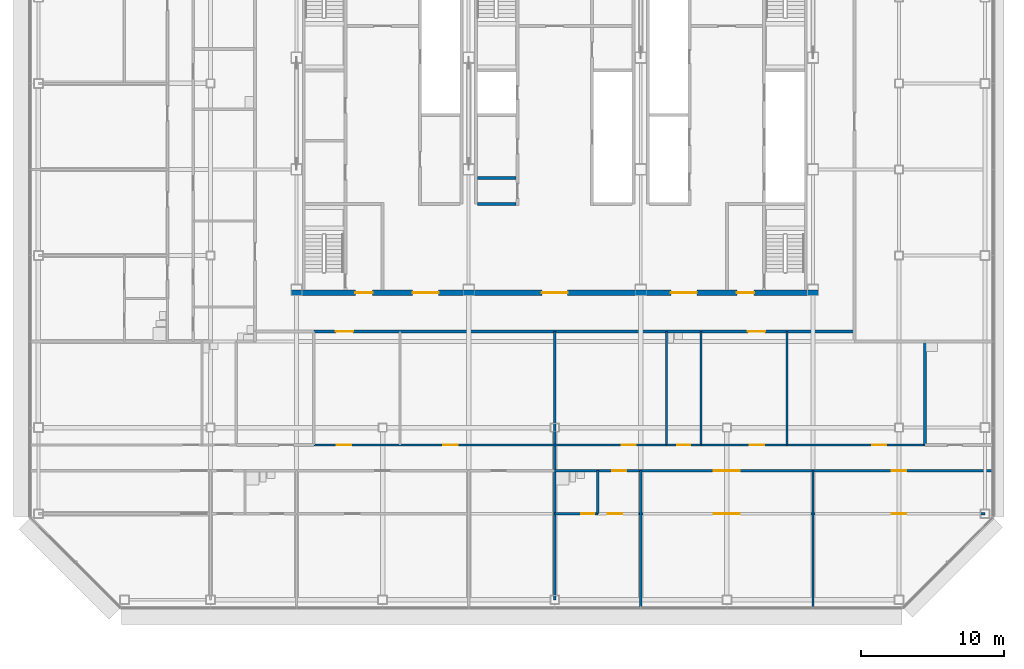
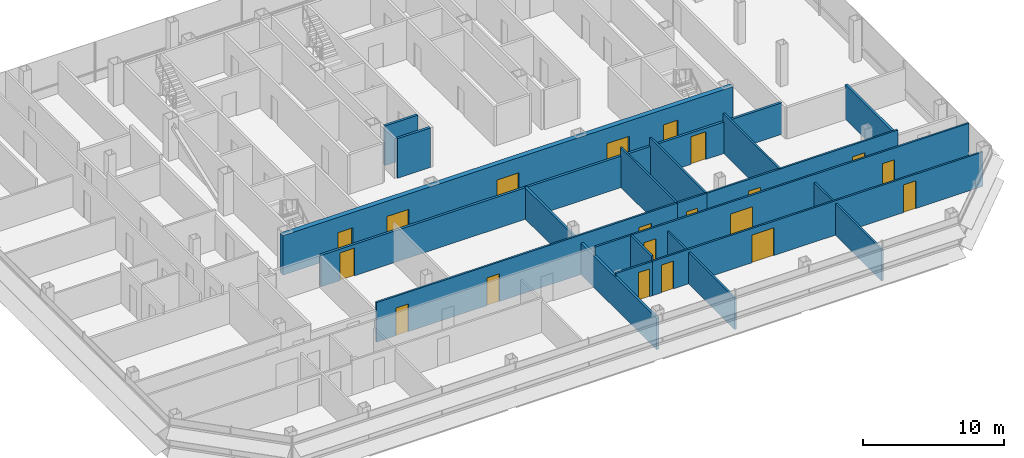
# One storey, part 21 of 26: 20 doors, 19 walls, 20 openings.
"""IFC4 building model written with IfcOpenShell, lengths in metres."""

import ifcopenshell
import ifcopenshell.guid

model = None  # the IFC model being written
_history = None  # IfcOwnerHistory: only IFC2X3 demands one
_inside = {}  # id of a spatial element -> (the spatial element, [elements in it])
_under = {}  # id of a project, library or spatial element -> (it, [spatial elements below it])
_declared = {}  # id of a project -> (the project, [libraries it declares])
_typed = {}  # id of a type object -> (the type object, [elements of that type])
_made_of = {}  # id of a material, layer set ... -> (it, [elements and type objects made of it])


def new_model(schema):
    """Start an empty IFC model of exactly this schema.

    Asked for "IFC4X3", IfcOpenShell would pick the latest addendum, in which some entities
    have other attributes; the version numbers below select the first issue.
    IFC2X3 requires an IfcOwnerHistory on every rooted entity: one is made here for all.
    """
    global model, _history
    if schema == "IFC4X3":
        model = ifcopenshell.file(schema_version=(4, 3, 0, 0))
    else:
        model = ifcopenshell.file(schema=schema)
    _inside.clear()
    _under.clear()
    _declared.clear()
    _typed.clear()
    _made_of.clear()
    _history = None
    if model.schema == "IFC2X3":
        org = make("IfcOrganization", Name="unknown")
        user = make(
            "IfcPersonAndOrganization",
            ThePerson=make("IfcPerson", FamilyName="unknown"),
            TheOrganization=org,
        )
        app = make(
            "IfcApplication",
            ApplicationDeveloper=org,
            Version="unknown",
            ApplicationFullName="unknown",
            ApplicationIdentifier="unknown",
        )
        _history = make(
            "IfcOwnerHistory",
            OwningUser=user,
            OwningApplication=app,
            ChangeAction="ADDED",
            CreationDate=0,
        )
    return model


def make(cls, **values):
    """One entity of the class cls with the attributes given. An attribute that is None is left unset."""
    return model.create_entity(
        cls, **{name: value for name, value in values.items() if value is not None}
    )


def rooted(cls, **values):
    """An entity with a GlobalId (a new one), such as an element, a storey or a relation."""
    return make(cls, GlobalId=ifcopenshell.guid.new(), OwnerHistory=_history, **values)


def si_unit(unit_type, name, prefix=None):
    """IfcSIUnit, for example si_unit("LENGTHUNIT", "METRE", prefix="MILLI")."""
    return make("IfcSIUnit", UnitType=unit_type, Prefix=prefix, Name=name)


def assignment(units):
    """IfcUnitAssignment: the units of a project."""
    return None if units is None else make("IfcUnitAssignment", Units=units)


def point(xyz):
    """IfcCartesianPoint."""
    return None if xyz is None else make("IfcCartesianPoint", Coordinates=xyz)


def direction(xyz):
    """IfcDirection."""
    return None if xyz is None else make("IfcDirection", DirectionRatios=xyz)


def frame(location, z_axis=None, x_axis=None):
    """IfcAxis2Placement3D, a coordinate frame: its origin and axes. An axis left out is left unset."""
    return make(
        "IfcAxis2Placement3D",
        Location=point(location),
        Axis=direction(z_axis),
        RefDirection=direction(x_axis),
    )


def frame_2d(location, x_axis=None):
    """IfcAxis2Placement2D, a coordinate frame in the plane: its origin and x axis."""
    return make(
        "IfcAxis2Placement2D", Location=point(location), RefDirection=direction(x_axis)
    )


def origin():
    """The frame at (0, 0, 0) with its axes left unset."""
    return frame((0.0, 0.0, 0.0))


def place(relative_to, where):
    """IfcLocalPlacement: puts the frame where relative to a parent placement (None: the world)."""
    return make(
        "IfcLocalPlacement", PlacementRelTo=relative_to, RelativePlacement=where
    )


def context(
    kind, dimensions, precision=None, world=None, true_north=None, identifier=None
):
    """IfcGeometricRepresentationContext, for example the 3D "Model" context."""
    return make(
        "IfcGeometricRepresentationContext",
        ContextIdentifier=identifier,
        ContextType=kind,
        CoordinateSpaceDimension=dimensions,
        Precision=precision,
        WorldCoordinateSystem=world,
        TrueNorth=true_north,
    )


def subcontext(parent, identifier, kind, view, scale=None):
    """IfcGeometricRepresentationSubContext, for example "Body" below "Model"."""
    return make(
        "IfcGeometricRepresentationSubContext",
        ContextIdentifier=identifier,
        ContextType=kind,
        ParentContext=parent,
        TargetScale=scale,
        TargetView=view,
    )


def project(units=None, contexts=None):
    """IfcProject with its units and contexts."""
    return rooted(
        "IfcProject",
        Name="project",
        RepresentationContexts=contexts,
        UnitsInContext=assignment(units),
    )


def spatial(cls, under=None, at=None, **own):
    """A site, building, storey or space (cls), placed at a placement, below another one or the project."""
    s = rooted(cls, ObjectPlacement=at, **own)
    if under is not None:
        _under.setdefault(under.id(), (under, []))[1].append(s)
    return s


def profile(cls, at=None, kind="AREA", **sizes):
    """A parametric profile (cls). Its sizes go by their IFC names, for example OverallWidth=200.0."""
    return make(cls, ProfileType=kind, Position=at, **sizes)


def rectangle(**sizes):
    """IfcRectangleProfileDef."""
    return profile("IfcRectangleProfileDef", **sizes)


def extrude(swept, where, along, depth):
    """IfcExtrudedAreaSolid: the profile swept, set in the frame where, extruded along a direction by depth."""
    return make(
        "IfcExtrudedAreaSolid",
        SweptArea=swept,
        Position=where,
        ExtrudedDirection=direction(along),
        Depth=depth,
    )


def shape(context_of_items, identifier, shape_type, items):
    """IfcShapeRepresentation: the items that make up one representation, for example the "Body"."""
    return make(
        "IfcShapeRepresentation",
        ContextOfItems=context_of_items,
        RepresentationIdentifier=identifier,
        RepresentationType=shape_type,
        Items=items,
    )


def material(Name=None, Category=None):
    """IfcMaterial."""
    return make("IfcMaterial", Name=Name, Category=Category)


def layer(
    of_material, thickness, ventilated=None, Name=None, Category=None, Priority=None
):
    """IfcMaterialLayer: one layer of a wall or slab, of a material (None: an air gap)."""
    return make(
        "IfcMaterialLayer",
        Material=of_material,
        LayerThickness=thickness,
        IsVentilated=ventilated,
        Name=Name,
        Category=Category,
        Priority=Priority,
    )


def layer_set(layers, Name=None):
    """IfcMaterialLayerSet."""
    return make("IfcMaterialLayerSet", MaterialLayers=layers, LayerSetName=Name)


def made_of(thing, what):
    """Note that an element or type object is made of a material, layer set ...; save() writes the relation."""
    if what is not None:
        _made_of.setdefault(what.id(), (what, []))[1].append(thing)
    return thing


def type_object(cls, material=None, **own):
    """A type object (cls), such as IfcWallType, which elements share."""
    return made_of(rooted(cls, **own), material)


def element(
    cls,
    number,
    at=None,
    inside=None,
    cuts=None,
    type_object=None,
    material=None,
    context=None,
    identifier="Body",
    shape_type=None,
    held_by="IfcProductDefinitionShape",
    body=None,
    shapes=None,
    **own,
):
    """One element of the class cls, such as IfcWall. Its Tag is "e" and its number.

    at: its placement. inside: the storey or other place that contains it. cuts: it is an
    opening in that element (IfcRelVoidsElement). A single representation is given by context,
    identifier, shape_type and body (its items); several are given by shapes. held_by: the class
    of the entity that holds the representations. save() writes the other relations.
    """
    e = rooted(cls, Tag="e%d" % number, ObjectPlacement=at, **own)
    if body is not None:
        shapes = [shape(context, identifier, shape_type, body)]
    if shapes is not None:
        e.Representation = make(held_by, Representations=shapes)
    if inside is not None:
        _inside.setdefault(inside.id(), (inside, []))[1].append(e)
    if cuts is not None:
        rooted(
            "IfcRelVoidsElement", RelatingBuildingElement=cuts, RelatedOpeningElement=e
        )
    if type_object is not None:
        _typed.setdefault(type_object.id(), (type_object, []))[1].append(e)
    return made_of(e, material)


def fill(opening, filler):
    """IfcRelFillsElement: the door or window that sits in an opening."""
    return rooted(
        "IfcRelFillsElement",
        RelatingOpeningElement=opening,
        RelatedBuildingElement=filler,
    )


def aggregate(whole, parts):
    """IfcRelAggregates: a whole, such as a stair, and the parts it consists of."""
    return rooted("IfcRelAggregates", RelatingObject=whole, RelatedObjects=parts)


def save(model, path):
    """Write the relations noted so far, then the file.

    IfcRelAggregates (storeys below a building ...), IfcRelContainedInSpatialStructure (elements
    in a storey), IfcRelDefinesByType, IfcRelAssociatesMaterial and IfcRelDeclares: one each for
    every whole, place, type object, material and project.
    """
    for whole, parts in _under.values():
        aggregate(whole, parts)
    for where, things in _inside.values():
        rooted(
            "IfcRelContainedInSpatialStructure",
            RelatedElements=things,
            RelatingStructure=where,
        )
    for kind, things in _typed.values():
        rooted("IfcRelDefinesByType", RelatedObjects=things, RelatingType=kind)
    for what, things in _made_of.values():
        rooted("IfcRelAssociatesMaterial", RelatedObjects=things, RelatingMaterial=what)
    for by, libraries in _declared.values():
        rooted("IfcRelDeclares", RelatingContext=by, RelatedDefinitions=libraries)
    model.write(path)


model = new_model("IFC4")

# Units and contexts
model_context = context("Model", 3, precision=1e-05, world=origin(), true_north=direction((0.0, 1.0)))
body_context = subcontext(model_context, "Body", "Model", "MODEL_VIEW")
ifc_project = project(units=[si_unit("LENGTHUNIT", "METRE"), si_unit("AREAUNIT", "SQUARE_METRE"), si_unit("VOLUMEUNIT", "CUBIC_METRE"), si_unit("PLANEANGLEUNIT", "RADIAN"), si_unit("MASSUNIT", "GRAM", prefix="KILO")], contexts=[model_context])

# Site, building, storey
site_placement = place(None, origin())
site = spatial("IfcSite", under=ifc_project, at=site_placement, CompositionType="ELEMENT")
building_placement = place(site_placement, origin())
building = spatial("IfcBuilding", under=site, at=building_placement, Name="Sorahane Residences", CompositionType="ELEMENT")
storey_placement = place(building_placement, frame((0.0, 0.0, 222.60009765625)))
storey = spatial("IfcBuildingStorey", under=building, at=storey_placement, Name="L52", CompositionType="ELEMENT", Elevation=222.60009765625)

# Wall, openings, doors
ifc_material_1 = material(Name="Concrete blockwork C20 wall", Category="masonry")
ifc_layer_1 = layer(ifc_material_1, 0.199951171875)
ifc_layer_set_1 = layer_set([ifc_layer_1], Name="Corridor wall 200 EI 120")
wall_type_1 = type_object("IfcWallType", Name="Corridor wall 200 EI 120", PredefinedType="SOLIDWALL", material=ifc_layer_set_1)
wall_1_placement = place(storey_placement, frame((7.199951171875, 18.699951171875, 0.0), z_axis=(0.0, 0.0, 1.0), x_axis=(1.0, 0.0, 0.0)))
wall_1 = element("IfcWall", 1, at=wall_1_placement, inside=storey, type_object=wall_type_1, Name="L52 corridor wall", PredefinedType="SOLIDWALL", context=body_context, shape_type="SweptSolid", body=[
    extrude(rectangle(XDim=37.699951171875, YDim=0.199951171875, at=frame_2d((18.85009765625, 0.0))), origin(), (0.0, 0.0, 1.0), 2.719970703125),
])
opening_1_placement = place(wall_1_placement, frame((1.5400390625, 0.0, 0.0)))
opening_1 = element("IfcOpeningElement", 2, at=opening_1_placement, cuts=wall_1, Name="Opening L52-38", PredefinedType="OPENING", context=body_context, shape_type="SweptSolid", body=[
    extrude(rectangle(XDim=1.199951171875, YDim=2.39990234375, at=frame_2d((0.60009765625, 1.199951171875))), frame((0.0, 0.10986328125, 0.0), z_axis=(0.0, -1.0, 0.0), x_axis=(1.0, 0.0, 0.0)), (0.0, 0.0, 1.0), 0.219970703125),
])
opening_2_placement = place(wall_1_placement, frame((30.260009765625, 0.0, 0.0)))
opening_2 = element("IfcOpeningElement", 3, at=opening_2_placement, cuts=wall_1, Name="Opening L52-39", PredefinedType="OPENING", context=body_context, shape_type="SweptSolid", body=[
    extrude(rectangle(XDim=1.199951171875, YDim=2.39990234375, at=frame_2d((0.60009765625, 1.199951171875))), frame((0.0, 0.10986328125, 0.0), z_axis=(0.0, -1.0, 0.0), x_axis=(1.0, 0.0, 0.0)), (0.0, 0.0, 1.0), 0.219970703125),
])
ifc_material_2 = material(Name="Timber veneered fire door", Category="wood")
door_type_1 = type_object("IfcDoorType", Name="Flat entrance door 1200x2400 FD60", OperationType="NOTDEFINED", PredefinedType="DOOR", material=ifc_material_2)
door_1_placement = place(opening_1_placement, frame((1.199951171875, 0.0, 0.0), z_axis=(0.0, 0.0, 1.0), x_axis=(-1.0, 0.0, 0.0)))
door_1 = element("IfcDoor", 4, at=door_1_placement, inside=storey, type_object=door_type_1, Name="Flat entrance door L52-38", OperationType="SINGLE_SWING_RIGHT", OverallHeight=2.39990234375, OverallWidth=1.199951171875, PredefinedType="DOOR", context=body_context, shape_type="SweptSolid", body=[
    extrude(rectangle(XDim=1.199951171875, YDim=2.39990234375, at=frame_2d((0.60009765625, 1.199951171875))), frame((0.0, 0.02490234375, 0.0), z_axis=(0.0, -1.0, 0.0), x_axis=(1.0, 0.0, 0.0)), (0.0, 0.0, 1.0), 0.050048828125),
])
fill(opening_1, door_1)
door_2_placement = place(opening_2_placement, frame((1.199951171875, 0.0, 0.0), z_axis=(0.0, 0.0, 1.0), x_axis=(-1.0, 0.0, 0.0)))
door_2 = element("IfcDoor", 5, at=door_2_placement, inside=storey, type_object=door_type_1, Name="Flat entrance door L52-39", OperationType="SINGLE_SWING_LEFT", OverallHeight=2.39990234375, OverallWidth=1.199951171875, PredefinedType="DOOR", context=body_context, shape_type="SweptSolid", body=[
    extrude(rectangle(XDim=1.199951171875, YDim=2.39990234375, at=frame_2d((0.60009765625, 1.199951171875))), frame((0.0, 0.02490234375, 0.0), z_axis=(0.0, -1.0, 0.0), x_axis=(1.0, 0.0, 0.0)), (0.0, 0.0, 1.0), 0.050048828125),
])
fill(opening_2, door_2)

# Walls
ifc_material_3 = material(Name="Concrete blockwork C20 wall", Category="masonry")
ifc_layer_2 = layer(ifc_material_3, 0.199951171875)
ifc_layer_set_2 = layer_set([ifc_layer_2], Name="Kitchen wall 200 EI 180")
wall_type_2 = type_object("IfcWallType", Name="Kitchen wall 200 EI 180", PredefinedType="SOLIDWALL", material=ifc_layer_set_2)
wall_2_placement = place(storey_placement, frame((49.800048828125, 10.800048828125, 0.0), z_axis=(0.0, 0.0, 1.0), x_axis=(0.0, 1.0, 0.0)))
element("IfcWall", 6, at=wall_2_placement, inside=storey, type_object=wall_type_2, Name="L52 kitchen wall", PredefinedType="SOLIDWALL", context=body_context, shape_type="SweptSolid", body=[
    extrude(rectangle(XDim=7.199951171875, YDim=0.199951171875, at=frame_2d((3.60009765625, 0.0))), origin(), (0.0, 0.0, 1.0), 2.969970703125),
])
ifc_material_4 = material(Name="Gypsum board partition on steel studs", Category="steel")
ifc_layer_3 = layer(ifc_material_4, 0.14990234375)
ifc_layer_set_3 = layer_set([ifc_layer_3], Name="Partition 150 EI 90")
wall_type_3 = type_object("IfcWallType", Name="Partition 150 EI 90", PredefinedType="PARTITIONING", material=ifc_layer_set_3)
wall_3_placement = place(storey_placement, frame((30.0, -0.60009765625, 0.0), z_axis=(0.0, 0.0, 1.0), x_axis=(0.0, 1.0, 0.0)))
element("IfcWall", 7, at=wall_3_placement, inside=storey, type_object=wall_type_3, Name="L52 partition", PredefinedType="PARTITIONING", context=body_context, shape_type="SweptSolid", body=[
    extrude(rectangle(XDim=9.60009765625, YDim=0.14990234375, at=frame_2d((4.800048828125, 0.0))), origin(), (0.0, 0.0, 1.0), 2.719970703125),
])
wall_4_placement = place(storey_placement, frame((40.199951171875, 10.800048828125, 0.0), z_axis=(0.0, 0.0, 1.0), x_axis=(0.0, 1.0, 0.0)))
element("IfcWall", 8, at=wall_4_placement, inside=storey, type_object=wall_type_3, Name="L52 partition", PredefinedType="PARTITIONING", context=body_context, shape_type="SweptSolid", body=[
    extrude(rectangle(XDim=7.89990234375, YDim=0.14990234375, at=frame_2d((3.949951171875, 0.0))), origin(), (0.0, 0.0, 1.0), 3.419921875),
])
wall_5_placement = place(storey_placement, frame((42.0, -0.60009765625, 0.0), z_axis=(0.0, 0.0, 1.0), x_axis=(0.0, 1.0, 0.0)))
element("IfcWall", 9, at=wall_5_placement, inside=storey, type_object=wall_type_3, Name="L52 partition", PredefinedType="PARTITIONING", context=body_context, shape_type="SweptSolid", body=[
    extrude(rectangle(XDim=9.60009765625, YDim=0.14990234375, at=frame_2d((4.800048828125, 0.0))), origin(), (0.0, 0.0, 1.0), 2.719970703125),
])

# Wall, openings, doors
wall_6_placement = place(storey_placement, frame((7.199951171875, 10.800048828125, 0.0), z_axis=(0.0, 0.0, 1.0), x_axis=(1.0, 0.0, 0.0)))
wall_6 = element("IfcWall", 10, at=wall_6_placement, inside=storey, type_object=wall_type_3, Name="L52 partition", PredefinedType="PARTITIONING", context=body_context, shape_type="SweptSolid", body=[
    extrude(rectangle(XDim=24.60009765625, YDim=0.14990234375, at=frame_2d((12.300048828125, 0.0))), origin(), (0.0, 0.0, 1.0), 3.419921875),
])
opening_3_placement = place(wall_6_placement, frame((1.60009765625, 0.0, 0.0)))
opening_3 = element("IfcOpeningElement", 11, at=opening_3_placement, cuts=wall_6, Name="Opening L52-01", PredefinedType="OPENING", context=body_context, shape_type="SweptSolid", body=[
    extrude(rectangle(XDim=1.0, YDim=2.39990234375, at=frame_2d((0.5, 1.199951171875))), frame((0.0, 0.0849609375, 0.0), z_axis=(0.0, -1.0, 0.0), x_axis=(1.0, 0.0, 0.0)), (0.0, 0.0, 1.0), 0.169921875),
])
opening_4_placement = place(wall_6_placement, frame((9.0400390625, 0.0, 0.0)))
opening_4 = element("IfcOpeningElement", 12, at=opening_4_placement, cuts=wall_6, Name="Opening L52-05", PredefinedType="OPENING", context=body_context, shape_type="SweptSolid", body=[
    extrude(rectangle(XDim=1.0, YDim=2.39990234375, at=frame_2d((0.5, 1.199951171875))), frame((0.0, 0.0849609375, 0.0), z_axis=(0.0, -1.0, 0.0), x_axis=(1.0, 0.0, 0.0)), (0.0, 0.0, 1.0), 0.169921875),
])
opening_5_placement = place(wall_6_placement, frame((21.4599609375, 0.0, 0.0)))
opening_5 = element("IfcOpeningElement", 13, at=opening_5_placement, cuts=wall_6, Name="Opening L52-15", PredefinedType="OPENING", context=body_context, shape_type="SweptSolid", body=[
    extrude(rectangle(XDim=1.0, YDim=2.39990234375, at=frame_2d((0.5, 1.199951171875))), frame((0.0, 0.0849609375, 0.0), z_axis=(0.0, -1.0, 0.0), x_axis=(1.0, 0.0, 0.0)), (0.0, 0.0, 1.0), 0.169921875),
])
ifc_material_5 = material(Name="Timber veneered fire door", Category="wood")
door_type_2 = type_object("IfcDoorType", Name="Room door 1000x2400 FD30", OperationType="NOTDEFINED", PredefinedType="DOOR", material=ifc_material_5)
door_3_placement = place(opening_3_placement, frame((1.0, 0.0, 0.0), z_axis=(0.0, 0.0, 1.0), x_axis=(-1.0, 0.0, 0.0)))
door_3 = element("IfcDoor", 14, at=door_3_placement, inside=storey, type_object=door_type_2, Name="Room door L52-01", OperationType="SINGLE_SWING_RIGHT", OverallHeight=2.39990234375, OverallWidth=1.0, PredefinedType="DOOR", context=body_context, shape_type="SweptSolid", body=[
    extrude(rectangle(XDim=1.0, YDim=2.39990234375, at=frame_2d((0.5, 1.199951171875))), frame((0.0, 0.02490234375, 0.0), z_axis=(0.0, -1.0, 0.0), x_axis=(1.0, 0.0, 0.0)), (0.0, 0.0, 1.0), 0.050048828125),
])
fill(opening_3, door_3)
door_4_placement = place(opening_4_placement, origin())
door_4 = element("IfcDoor", 15, at=door_4_placement, inside=storey, type_object=door_type_2, Name="Room door L52-05", OperationType="SINGLE_SWING_LEFT", OverallHeight=2.39990234375, OverallWidth=1.0, PredefinedType="DOOR", context=body_context, shape_type="SweptSolid", body=[
    extrude(rectangle(XDim=1.0, YDim=2.39990234375, at=frame_2d((0.5, 1.199951171875))), frame((0.0, 0.02490234375, 0.0), z_axis=(0.0, -1.0, 0.0), x_axis=(1.0, 0.0, 0.0)), (0.0, 0.0, 1.0), 0.050048828125),
])
fill(opening_4, door_4)
door_5_placement = place(opening_5_placement, origin())
door_5 = element("IfcDoor", 16, at=door_5_placement, inside=storey, type_object=door_type_2, Name="Room door L52-15", OperationType="SINGLE_SWING_RIGHT", OverallHeight=2.39990234375, OverallWidth=1.0, PredefinedType="DOOR", context=body_context, shape_type="SweptSolid", body=[
    extrude(rectangle(XDim=1.0, YDim=2.39990234375, at=frame_2d((0.5, 1.199951171875))), frame((0.0, 0.02490234375, 0.0), z_axis=(0.0, -1.0, 0.0), x_axis=(1.0, 0.0, 0.0)), (0.0, 0.0, 1.0), 0.050048828125),
])
fill(opening_5, door_5)

wall_7_placement = place(storey_placement, frame((34.199951171875, 10.800048828125, 0.0), z_axis=(0.0, 0.0, 1.0), x_axis=(1.0, 0.0, 0.0)))
wall_7 = element("IfcWall", 17, at=wall_7_placement, inside=storey, type_object=wall_type_3, Name="L52 partition", PredefinedType="PARTITIONING", context=body_context, shape_type="SweptSolid", body=[
    extrude(rectangle(XDim=15.60009765625, YDim=0.14990234375, at=frame_2d((7.800048828125, 0.0))), origin(), (0.0, 0.0, 1.0), 3.419921875),
])
opening_6_placement = place(wall_7_placement, frame((3.39990234375, 0.0, 0.0)))
opening_6 = element("IfcOpeningElement", 18, at=opening_6_placement, cuts=wall_7, Name="Opening L52-14", PredefinedType="OPENING", context=body_context, shape_type="SweptSolid", body=[
    extrude(rectangle(XDim=1.0, YDim=2.39990234375, at=frame_2d((0.5, 1.199951171875))), frame((0.0, 0.0849609375, 0.0), z_axis=(0.0, -1.0, 0.0), x_axis=(1.0, 0.0, 0.0)), (0.0, 0.0, 1.0), 0.169921875),
])
opening_7_placement = place(wall_7_placement, frame((11.919921875, 0.0, 0.0)))
opening_7 = element("IfcOpeningElement", 19, at=opening_7_placement, cuts=wall_7, Name="Opening L52-17", PredefinedType="OPENING", context=body_context, shape_type="SweptSolid", body=[
    extrude(rectangle(XDim=1.0, YDim=2.39990234375, at=frame_2d((0.5, 1.199951171875))), frame((0.0, 0.0849609375, 0.0), z_axis=(0.0, -1.0, 0.0), x_axis=(1.0, 0.0, 0.0)), (0.0, 0.0, 1.0), 0.169921875),
])
door_6_placement = place(opening_6_placement, frame((1.0, 0.0, 0.0), z_axis=(0.0, 0.0, 1.0), x_axis=(-1.0, 0.0, 0.0)))
door_6 = element("IfcDoor", 20, at=door_6_placement, inside=storey, type_object=door_type_2, Name="Room door L52-14", OperationType="SINGLE_SWING_LEFT", OverallHeight=2.39990234375, OverallWidth=1.0, PredefinedType="DOOR", context=body_context, shape_type="SweptSolid", body=[
    extrude(rectangle(XDim=1.0, YDim=2.39990234375, at=frame_2d((0.5, 1.199951171875))), frame((0.0, 0.02490234375, 0.0), z_axis=(0.0, -1.0, 0.0), x_axis=(1.0, 0.0, 0.0)), (0.0, 0.0, 1.0), 0.050048828125),
])
fill(opening_6, door_6)
door_7_placement = place(opening_7_placement, origin())
door_7 = element("IfcDoor", 21, at=door_7_placement, inside=storey, type_object=door_type_2, Name="Room door L52-17", OperationType="SINGLE_SWING_RIGHT", OverallHeight=2.39990234375, OverallWidth=1.0, PredefinedType="DOOR", context=body_context, shape_type="SweptSolid", body=[
    extrude(rectangle(XDim=1.0, YDim=2.39990234375, at=frame_2d((0.5, 1.199951171875))), frame((0.0, 0.02490234375, 0.0), z_axis=(0.0, -1.0, 0.0), x_axis=(1.0, 0.0, 0.0)), (0.0, 0.0, 1.0), 0.050048828125),
])
fill(opening_7, door_7)

wall_8_placement = place(storey_placement, frame((27.0, 6.0, 0.0), z_axis=(0.0, 0.0, 1.0), x_axis=(1.0, 0.0, 0.0)))
wall_8 = element("IfcWall", 22, at=wall_8_placement, inside=storey, type_object=wall_type_3, Name="L52 partition", PredefinedType="PARTITIONING", context=body_context, shape_type="SweptSolid", body=[
    extrude(rectangle(XDim=27.0, YDim=0.14990234375, at=frame_2d((13.5, 0.0))), origin(), (0.0, 0.0, 1.0), 2.969970703125),
])
opening_8_placement = place(wall_8_placement, frame((0.699951171875, 0.0, 0.0)))
opening_8 = element("IfcOpeningElement", 23, at=opening_8_placement, cuts=wall_8, Name="Opening L52-22", PredefinedType="OPENING", context=body_context, shape_type="SweptSolid", body=[
    extrude(rectangle(XDim=1.0, YDim=2.39990234375, at=frame_2d((0.5, 1.199951171875))), frame((0.0, 0.0849609375, 0.0), z_axis=(0.0, -1.0, 0.0), x_axis=(1.0, 0.0, 0.0)), (0.0, 0.0, 1.0), 0.169921875),
])
opening_9_placement = place(wall_8_placement, frame((8.10009765625, 0.0, 0.0)))
opening_9 = element("IfcOpeningElement", 24, at=opening_9_placement, cuts=wall_8, Name="Opening L52-24", PredefinedType="OPENING", context=body_context, shape_type="SweptSolid", body=[
    extrude(rectangle(XDim=1.800048828125, YDim=2.39990234375, at=frame_2d((0.89990234375, 1.199951171875))), frame((0.0, 0.0849609375, 0.0), z_axis=(0.0, -1.0, 0.0), x_axis=(1.0, 0.0, 0.0)), (0.0, 0.0, 1.0), 0.169921875),
])
opening_10_placement = place(wall_8_placement, frame((20.5, 0.0, 0.0)))
opening_10 = element("IfcOpeningElement", 25, at=opening_10_placement, cuts=wall_8, Name="Opening L52-25", PredefinedType="OPENING", context=body_context, shape_type="SweptSolid", body=[
    extrude(rectangle(XDim=1.0, YDim=2.39990234375, at=frame_2d((0.5, 1.199951171875))), frame((0.0, 0.0849609375, 0.0), z_axis=(0.0, -1.0, 0.0), x_axis=(1.0, 0.0, 0.0)), (0.0, 0.0, 1.0), 0.169921875),
])
ifc_material_6 = material(Name="Timber veneered fire door", Category="wood")
door_type_3 = type_object("IfcDoorType", Name="Double door 1800x2400 FD30", OperationType="NOTDEFINED", PredefinedType="DOOR", material=ifc_material_6)
door_8_placement = place(opening_9_placement, frame((1.800048828125, 0.0, 0.0), z_axis=(0.0, 0.0, 1.0), x_axis=(-1.0, 0.0, 0.0)))
door_8 = element("IfcDoor", 26, at=door_8_placement, inside=storey, type_object=door_type_3, Name="Double door L52-24", OperationType="SINGLE_SWING_LEFT", OverallHeight=2.39990234375, OverallWidth=1.800048828125, PredefinedType="DOOR", context=body_context, shape_type="SweptSolid", body=[
    extrude(rectangle(XDim=1.800048828125, YDim=2.39990234375, at=frame_2d((0.89990234375, 1.199951171875))), frame((0.0, 0.02490234375, 0.0), z_axis=(0.0, -1.0, 0.0), x_axis=(1.0, 0.0, 0.0)), (0.0, 0.0, 1.0), 0.050048828125),
])
fill(opening_9, door_8)
door_9_placement = place(opening_8_placement, frame((1.0, 0.0, 0.0), z_axis=(0.0, 0.0, 1.0), x_axis=(-1.0, 0.0, 0.0)))
door_9 = element("IfcDoor", 27, at=door_9_placement, inside=storey, type_object=door_type_2, Name="Room door L52-22", OperationType="SINGLE_SWING_LEFT", OverallHeight=2.39990234375, OverallWidth=1.0, PredefinedType="DOOR", context=body_context, shape_type="SweptSolid", body=[
    extrude(rectangle(XDim=1.0, YDim=2.39990234375, at=frame_2d((0.5, 1.199951171875))), frame((0.0, 0.02490234375, 0.0), z_axis=(0.0, -1.0, 0.0), x_axis=(1.0, 0.0, 0.0)), (0.0, 0.0, 1.0), 0.050048828125),
])
fill(opening_8, door_9)
door_10_placement = place(opening_10_placement, frame((1.0, 0.0, 0.0), z_axis=(0.0, 0.0, 1.0), x_axis=(-1.0, 0.0, 0.0)))
door_10 = element("IfcDoor", 28, at=door_10_placement, inside=storey, type_object=door_type_2, Name="Room door L52-25", OperationType="SINGLE_SWING_RIGHT", OverallHeight=2.39990234375, OverallWidth=1.0, PredefinedType="DOOR", context=body_context, shape_type="SweptSolid", body=[
    extrude(rectangle(XDim=1.0, YDim=2.39990234375, at=frame_2d((0.5, 1.199951171875))), frame((0.0, 0.02490234375, 0.0), z_axis=(0.0, -1.0, 0.0), x_axis=(1.0, 0.0, 0.0)), (0.0, 0.0, 1.0), 0.050048828125),
])
fill(opening_10, door_10)

wall_9_placement = place(storey_placement, frame((27.0, 9.0, 0.0), z_axis=(0.0, 0.0, 1.0), x_axis=(1.0, 0.0, 0.0)))
wall_9 = element("IfcWall", 29, at=wall_9_placement, inside=storey, type_object=wall_type_3, Name="L52 partition", PredefinedType="PARTITIONING", context=body_context, shape_type="SweptSolid", body=[
    extrude(rectangle(XDim=27.60009765625, YDim=0.14990234375, at=frame_2d((13.800048828125, 0.0))), origin(), (0.0, 0.0, 1.0), 3.419921875),
])
opening_11_placement = place(wall_9_placement, frame((1.0, 0.0, 0.0)))
opening_11 = element("IfcOpeningElement", 30, at=opening_11_placement, cuts=wall_9, Name="Opening L52-19", PredefinedType="OPENING", context=body_context, shape_type="SweptSolid", body=[
    extrude(rectangle(XDim=1.0, YDim=2.39990234375, at=frame_2d((0.5, 1.199951171875))), frame((0.0, 0.0849609375, 0.0), z_axis=(0.0, -1.0, 0.0), x_axis=(1.0, 0.0, 0.0)), (0.0, 0.0, 1.0), 0.169921875),
])
opening_12_placement = place(wall_9_placement, frame((8.10009765625, 0.0, 0.0)))
opening_12 = element("IfcOpeningElement", 31, at=opening_12_placement, cuts=wall_9, Name="Opening L52-20", PredefinedType="OPENING", context=body_context, shape_type="SweptSolid", body=[
    extrude(rectangle(XDim=1.800048828125, YDim=2.39990234375, at=frame_2d((0.89990234375, 1.199951171875))), frame((0.0, 0.0849609375, 0.0), z_axis=(0.0, -1.0, 0.0), x_axis=(1.0, 0.0, 0.0)), (0.0, 0.0, 1.0), 0.169921875),
])
opening_13_placement = place(wall_9_placement, frame((20.5, 0.0, 0.0)))
opening_13 = element("IfcOpeningElement", 32, at=opening_13_placement, cuts=wall_9, Name="Opening L52-21", PredefinedType="OPENING", context=body_context, shape_type="SweptSolid", body=[
    extrude(rectangle(XDim=1.0, YDim=2.39990234375, at=frame_2d((0.5, 1.199951171875))), frame((0.0, 0.0849609375, 0.0), z_axis=(0.0, -1.0, 0.0), x_axis=(1.0, 0.0, 0.0)), (0.0, 0.0, 1.0), 0.169921875),
])
door_11_placement = place(opening_12_placement, frame((1.800048828125, 0.0, 0.0), z_axis=(0.0, 0.0, 1.0), x_axis=(-1.0, 0.0, 0.0)))
door_11 = element("IfcDoor", 33, at=door_11_placement, inside=storey, type_object=door_type_3, Name="Double door L52-20", OperationType="SINGLE_SWING_RIGHT", OverallHeight=2.39990234375, OverallWidth=1.800048828125, PredefinedType="DOOR", context=body_context, shape_type="SweptSolid", body=[
    extrude(rectangle(XDim=1.800048828125, YDim=2.39990234375, at=frame_2d((0.89990234375, 1.199951171875))), frame((0.0, 0.02490234375, 0.0), z_axis=(0.0, -1.0, 0.0), x_axis=(1.0, 0.0, 0.0)), (0.0, 0.0, 1.0), 0.050048828125),
])
fill(opening_12, door_11)
door_12_placement = place(opening_11_placement, frame((1.0, 0.0, 0.0), z_axis=(0.0, 0.0, 1.0), x_axis=(-1.0, 0.0, 0.0)))
door_12 = element("IfcDoor", 34, at=door_12_placement, inside=storey, type_object=door_type_2, Name="Room door L52-19", OperationType="SINGLE_SWING_RIGHT", OverallHeight=2.39990234375, OverallWidth=1.0, PredefinedType="DOOR", context=body_context, shape_type="SweptSolid", body=[
    extrude(rectangle(XDim=1.0, YDim=2.39990234375, at=frame_2d((0.5, 1.199951171875))), frame((0.0, 0.02490234375, 0.0), z_axis=(0.0, -1.0, 0.0), x_axis=(1.0, 0.0, 0.0)), (0.0, 0.0, 1.0), 0.050048828125),
])
fill(opening_11, door_12)
door_13_placement = place(opening_13_placement, frame((1.0, 0.0, 0.0), z_axis=(0.0, 0.0, 1.0), x_axis=(-1.0, 0.0, 0.0)))
door_13 = element("IfcDoor", 35, at=door_13_placement, inside=storey, type_object=door_type_2, Name="Room door L52-21", OperationType="SINGLE_SWING_RIGHT", OverallHeight=2.39990234375, OverallWidth=1.0, PredefinedType="DOOR", context=body_context, shape_type="SweptSolid", body=[
    extrude(rectangle(XDim=1.0, YDim=2.39990234375, at=frame_2d((0.5, 1.199951171875))), frame((0.0, 0.02490234375, 0.0), z_axis=(0.0, -1.0, 0.0), x_axis=(1.0, 0.0, 0.0)), (0.0, 0.0, 1.0), 0.050048828125),
])
fill(opening_13, door_13)

# Walls
ifc_material_7 = material(Name="Concrete blockwork C20 wall", Category="masonry")
ifc_layer_4 = layer(ifc_material_7, 0.199951171875)
ifc_layer_set_4 = layer_set([ifc_layer_4], Name="Party wall 200 EI 120")
wall_type_4 = type_object("IfcWallType", Name="Party wall 200 EI 120", PredefinedType="SOLIDWALL", material=ifc_layer_set_4)
wall_10_placement = place(storey_placement, frame((24.0, 0.0, 0.0), z_axis=(0.0, 0.0, 1.0), x_axis=(0.0, 1.0, 0.0)))
element("IfcWall", 36, at=wall_10_placement, inside=storey, type_object=wall_type_4, Name="L52 party wall", PredefinedType="SOLIDWALL", context=body_context, shape_type="SweptSolid", body=[
    extrude(rectangle(XDim=18.699951171875, YDim=0.199951171875, at=frame_2d((9.35009765625, 0.0))), origin(), (0.0, 0.0, 1.0), 2.719970703125),
])
ifc_material_8 = material(Name="Concrete C30", Category="concrete")
ifc_layer_5 = layer(ifc_material_8, 0.199951171875)
ifc_layer_set_5 = layer_set([ifc_layer_5], Name="Service room partition 200 EI 60")
wall_type_5 = type_object("IfcWallType", Name="Service room partition 200 EI 60", PredefinedType="PARTITIONING", material=ifc_layer_set_5)
for number, where, z_axis, x_axis, name in (
    (37, (18.60009765625, 27.60009765625, 0.0), (0.0, 0.0, 1.0), (1.0, 0.0, 0.0), "L52 service room wall"),
    (38, (18.60009765625, 29.39990234375, 0.0), (0.0, 0.0, 1.0), (1.0, 0.0, 0.0), "L52 service room wall"),
):
    element("IfcWall", number, at=place(storey_placement, frame(where, z_axis=z_axis, x_axis=x_axis)), inside=storey, type_object=wall_type_5, Name=name, PredefinedType="PARTITIONING", context=body_context, shape_type="SweptSolid", body=[
        extrude(rectangle(XDim=2.699951171875, YDim=0.199951171875, at=frame_2d((1.35009765625, 0.0))), origin(), (0.0, 0.0, 1.0), 3.419921875),
    ])

# Wall, openings, doors
ifc_material_9 = material(Name="Concrete C30", Category="concrete")
ifc_layer_6 = layer(ifc_material_9, 0.39990234375)
ifc_layer_set_6 = layer_set([ifc_layer_6], Name="Waiting hall wall 400 EI 120")
wall_type_6 = type_object("IfcWallType", Name="Waiting hall wall 400 EI 120", PredefinedType="SOLIDWALL", material=ifc_layer_set_6)
wall_11_placement = place(storey_placement, frame((5.60009765625, 21.39990234375, 0.0), z_axis=(0.0, 0.0, 1.0), x_axis=(1.0, 0.0, 0.0)))
wall_11 = element("IfcWall", 39, at=wall_11_placement, inside=storey, type_object=wall_type_6, Name="L52 waiting hall wall", PredefinedType="SOLIDWALL", context=body_context, shape_type="SweptSolid", body=[
    extrude(rectangle(XDim=36.7998046875, YDim=0.39990234375, at=frame_2d((18.39990234375, 0.0))), origin(), (0.0, 0.0, 1.0), 3.419921875),
])
opening_14_placement = place(wall_11_placement, frame((8.5, 0.0, 0.0)))
opening_14 = element("IfcOpeningElement", 40, at=opening_14_placement, cuts=wall_11, Name="Opening L52-C01", PredefinedType="OPENING", context=body_context, shape_type="SweptSolid", body=[
    extrude(rectangle(XDim=1.800048828125, YDim=2.10009765625, at=frame_2d((0.89990234375, 1.050048828125))), frame((0.0, 0.2099609375, 0.0), z_axis=(0.0, -1.0, 0.0), x_axis=(1.0, 0.0, 0.0)), (0.0, 0.0, 1.0), 0.419921875),
])
opening_15_placement = place(wall_11_placement, frame((17.5, 0.0, 0.0)))
opening_15 = element("IfcOpeningElement", 41, at=opening_15_placement, cuts=wall_11, Name="Opening L52-C02", PredefinedType="OPENING", context=body_context, shape_type="SweptSolid", body=[
    extrude(rectangle(XDim=1.800048828125, YDim=2.10009765625, at=frame_2d((0.89990234375, 1.050048828125))), frame((0.0, 0.2099609375, 0.0), z_axis=(0.0, -1.0, 0.0), x_axis=(1.0, 0.0, 0.0)), (0.0, 0.0, 1.0), 0.419921875),
])
opening_16_placement = place(wall_11_placement, frame((26.5, 0.0, 0.0)))
opening_16 = element("IfcOpeningElement", 42, at=opening_16_placement, cuts=wall_11, Name="Opening L52-C03", PredefinedType="OPENING", context=body_context, shape_type="SweptSolid", body=[
    extrude(rectangle(XDim=1.800048828125, YDim=2.10009765625, at=frame_2d((0.89990234375, 1.050048828125))), frame((0.0, 0.2099609375, 0.0), z_axis=(0.0, -1.0, 0.0), x_axis=(1.0, 0.0, 0.0)), (0.0, 0.0, 1.0), 0.419921875),
])
opening_17_placement = place(wall_11_placement, frame((4.5, 0.0, 0.0)))
opening_17 = element("IfcOpeningElement", 43, at=opening_17_placement, cuts=wall_11, Name="Opening L52-C04", PredefinedType="OPENING", context=body_context, shape_type="SweptSolid", body=[
    extrude(rectangle(XDim=1.199951171875, YDim=2.10009765625, at=frame_2d((0.60009765625, 1.050048828125))), frame((0.0, 0.2099609375, 0.0), z_axis=(0.0, -1.0, 0.0), x_axis=(1.0, 0.0, 0.0)), (0.0, 0.0, 1.0), 0.419921875),
])
opening_18_placement = place(wall_11_placement, frame((31.10009765625, 0.0, 0.0)))
opening_18 = element("IfcOpeningElement", 44, at=opening_18_placement, cuts=wall_11, Name="Opening L52-C05", PredefinedType="OPENING", context=body_context, shape_type="SweptSolid", body=[
    extrude(rectangle(XDim=1.199951171875, YDim=2.10009765625, at=frame_2d((0.60009765625, 1.050048828125))), frame((0.0, 0.2099609375, 0.0), z_axis=(0.0, -1.0, 0.0), x_axis=(1.0, 0.0, 0.0)), (0.0, 0.0, 1.0), 0.419921875),
])
ifc_material_10 = material(Name="Steel", Category="steel")
door_type_4 = type_object("IfcDoorType", Name="Stair front room door 1200x2100 FD120", OperationType="NOTDEFINED", PredefinedType="DOOR", material=ifc_material_10)
door_14_placement = place(opening_17_placement, frame((1.199951171875, 0.0, 0.0), z_axis=(0.0, 0.0, 1.0), x_axis=(-1.0, 0.0, 0.0)))
door_14 = element("IfcDoor", 45, at=door_14_placement, inside=storey, type_object=door_type_4, Name="Stair front room door Stair S4 front room L52", OperationType="SINGLE_SWING_LEFT", OverallHeight=2.10009765625, OverallWidth=1.199951171875, PredefinedType="DOOR", context=body_context, shape_type="SweptSolid", body=[
    extrude(rectangle(XDim=1.199951171875, YDim=2.10009765625, at=frame_2d((0.60009765625, 1.050048828125))), frame((0.0, 0.02490234375, 0.0), z_axis=(0.0, -1.0, 0.0), x_axis=(1.0, 0.0, 0.0)), (0.0, 0.0, 1.0), 0.050048828125),
])
fill(opening_17, door_14)
door_15_placement = place(opening_18_placement, frame((1.199951171875, 0.0, 0.0), z_axis=(0.0, 0.0, 1.0), x_axis=(-1.0, 0.0, 0.0)))
door_15 = element("IfcDoor", 46, at=door_15_placement, inside=storey, type_object=door_type_4, Name="Stair front room door Stair S5 front room L52", OperationType="SINGLE_SWING_LEFT", OverallHeight=2.10009765625, OverallWidth=1.199951171875, PredefinedType="DOOR", context=body_context, shape_type="SweptSolid", body=[
    extrude(rectangle(XDim=1.199951171875, YDim=2.10009765625, at=frame_2d((0.60009765625, 1.050048828125))), frame((0.0, 0.02490234375, 0.0), z_axis=(0.0, -1.0, 0.0), x_axis=(1.0, 0.0, 0.0)), (0.0, 0.0, 1.0), 0.050048828125),
])
fill(opening_18, door_15)
ifc_material_11 = material(Name="Steel", Category="steel")
door_type_5 = type_object("IfcDoorType", Name="Waiting hall door 1800x2100 FD60", OperationType="NOTDEFINED", PredefinedType="DOOR", material=ifc_material_11)
door_16_placement = place(opening_14_placement, frame((1.800048828125, 0.0, 0.0), z_axis=(0.0, 0.0, 1.0), x_axis=(-1.0, 0.0, 0.0)))
door_16 = element("IfcDoor", 47, at=door_16_placement, inside=storey, type_object=door_type_5, Name="Waiting hall door Residents' waiting hall L52", OperationType="SINGLE_SWING_LEFT", OverallHeight=2.10009765625, OverallWidth=1.800048828125, PredefinedType="DOOR", context=body_context, shape_type="SweptSolid", body=[
    extrude(rectangle(XDim=1.800048828125, YDim=2.10009765625, at=frame_2d((0.89990234375, 1.050048828125))), frame((0.0, 0.02490234375, 0.0), z_axis=(0.0, -1.0, 0.0), x_axis=(1.0, 0.0, 0.0)), (0.0, 0.0, 1.0), 0.050048828125),
])
fill(opening_14, door_16)
door_17_placement = place(opening_15_placement, frame((1.800048828125, 0.0, 0.0), z_axis=(0.0, 0.0, 1.0), x_axis=(-1.0, 0.0, 0.0)))
door_17 = element("IfcDoor", 48, at=door_17_placement, inside=storey, type_object=door_type_5, Name="Waiting hall door Residents' waiting hall L52", OperationType="SINGLE_SWING_LEFT", OverallHeight=2.10009765625, OverallWidth=1.800048828125, PredefinedType="DOOR", context=body_context, shape_type="SweptSolid", body=[
    extrude(rectangle(XDim=1.800048828125, YDim=2.10009765625, at=frame_2d((0.89990234375, 1.050048828125))), frame((0.0, 0.02490234375, 0.0), z_axis=(0.0, -1.0, 0.0), x_axis=(1.0, 0.0, 0.0)), (0.0, 0.0, 1.0), 0.050048828125),
])
fill(opening_15, door_17)
door_18_placement = place(opening_16_placement, frame((1.800048828125, 0.0, 0.0), z_axis=(0.0, 0.0, 1.0), x_axis=(-1.0, 0.0, 0.0)))
door_18 = element("IfcDoor", 49, at=door_18_placement, inside=storey, type_object=door_type_5, Name="Waiting hall door Residents' waiting hall L52", OperationType="SINGLE_SWING_LEFT", OverallHeight=2.10009765625, OverallWidth=1.800048828125, PredefinedType="DOOR", context=body_context, shape_type="SweptSolid", body=[
    extrude(rectangle(XDim=1.800048828125, YDim=2.10009765625, at=frame_2d((0.89990234375, 1.050048828125))), frame((0.0, 0.02490234375, 0.0), z_axis=(0.0, -1.0, 0.0), x_axis=(1.0, 0.0, 0.0)), (0.0, 0.0, 1.0), 0.050048828125),
])
fill(opening_16, door_18)

# Walls
ifc_material_12 = material(Name="Gypsum board partition on steel studs", Category="steel")
ifc_layer_7 = layer(ifc_material_12, 0.14990234375)
ifc_layer_set_7 = layer_set([ifc_layer_7], Name="Wet wall 150 EI 90")
wall_type_7 = type_object("IfcWallType", Name="Wet wall 150 EI 90", PredefinedType="PARTITIONING", material=ifc_layer_set_7)
wall_12_placement = place(storey_placement, frame((27.0, 6.0, 0.0), z_axis=(0.0, 0.0, 1.0), x_axis=(0.0, 1.0, 0.0)))
element("IfcWall", 50, at=wall_12_placement, inside=storey, type_object=wall_type_7, Name="L52 wet wall", PredefinedType="PARTITIONING", context=body_context, shape_type="SweptSolid", body=[
    extrude(rectangle(XDim=3.0, YDim=0.14990234375, at=frame_2d((1.5, 0.0))), origin(), (0.0, 0.0, 1.0), 3.419921875),
])
for number, where, z_axis, x_axis, name in (
    (51, (31.800048828125, 10.800048828125, 0.0), (0.0, 0.0, 1.0), (0.0, 1.0, 0.0), "L52 wet wall"),
    (52, (34.199951171875, 10.800048828125, 0.0), (0.0, 0.0, 1.0), (0.0, 1.0, 0.0), "L52 wet wall"),
):
    element("IfcWall", number, at=place(storey_placement, frame(where, z_axis=z_axis, x_axis=x_axis)), inside=storey, type_object=wall_type_7, Name=name, PredefinedType="PARTITIONING", context=body_context, shape_type="SweptSolid", body=[
        extrude(rectangle(XDim=7.89990234375, YDim=0.14990234375, at=frame_2d((3.949951171875, 0.0))), origin(), (0.0, 0.0, 1.0), 3.419921875),
    ])

# Wall, opening, door
wall_13_placement = place(storey_placement, frame((31.800048828125, 10.800048828125, 0.0), z_axis=(0.0, 0.0, 1.0), x_axis=(1.0, 0.0, 0.0)))
wall_13 = element("IfcWall", 53, at=wall_13_placement, inside=storey, type_object=wall_type_7, Name="L52 wet wall", PredefinedType="PARTITIONING", context=body_context, shape_type="SweptSolid", body=[
    extrude(rectangle(XDim=2.39990234375, YDim=0.14990234375, at=frame_2d((1.199951171875, 0.0))), origin(), (0.0, 0.0, 1.0), 3.419921875),
])
opening_19_placement = place(wall_13_placement, frame((0.75, 0.0, 0.0)))
opening_19 = element("IfcOpeningElement", 54, at=opening_19_placement, cuts=wall_13, Name="Opening L52-16", PredefinedType="OPENING", context=body_context, shape_type="SweptSolid", body=[
    extrude(rectangle(XDim=0.89990234375, YDim=2.39990234375, at=frame_2d((0.449951171875, 1.199951171875))), frame((0.0, 0.0849609375, 0.0), z_axis=(0.0, -1.0, 0.0), x_axis=(1.0, 0.0, 0.0)), (0.0, 0.0, 1.0), 0.169921875),
])
ifc_material_13 = material(Name="Timber veneered fire door", Category="wood")
door_type_6 = type_object("IfcDoorType", Name="Bathroom door 900x2400 FD30", OperationType="NOTDEFINED", PredefinedType="DOOR", material=ifc_material_13)
door_19_placement = place(opening_19_placement, frame((0.89990234375, 0.0, 0.0), z_axis=(0.0, 0.0, 1.0), x_axis=(-1.0, 0.0, 0.0)))
door_19 = element("IfcDoor", 55, at=door_19_placement, inside=storey, type_object=door_type_6, Name="Bathroom door L52-16", OperationType="SINGLE_SWING_RIGHT", OverallHeight=2.39990234375, OverallWidth=0.89990234375, PredefinedType="DOOR", context=body_context, shape_type="SweptSolid", body=[
    extrude(rectangle(XDim=0.89990234375, YDim=2.39990234375, at=frame_2d((0.449951171875, 1.199951171875))), frame((0.0, 0.02490234375, 0.0), z_axis=(0.0, -1.0, 0.0), x_axis=(1.0, 0.0, 0.0)), (0.0, 0.0, 1.0), 0.050048828125),
])
fill(opening_19, door_19)

wall_14_placement = place(storey_placement, frame((24.0, 6.0, 0.0), z_axis=(0.0, 0.0, 1.0), x_axis=(1.0, 0.0, 0.0)))
wall_14 = element("IfcWall", 56, at=wall_14_placement, inside=storey, type_object=wall_type_7, Name="L52 wet wall", PredefinedType="PARTITIONING", context=body_context, shape_type="SweptSolid", body=[
    extrude(rectangle(XDim=3.0, YDim=0.14990234375, at=frame_2d((1.5, 0.0))), origin(), (0.0, 0.0, 1.0), 2.969970703125),
])
opening_20_placement = place(wall_14_placement, frame((1.85009765625, 0.0, 0.0)))
opening_20 = element("IfcOpeningElement", 57, at=opening_20_placement, cuts=wall_14, Name="Opening L52-23", PredefinedType="OPENING", context=body_context, shape_type="SweptSolid", body=[
    extrude(rectangle(XDim=0.89990234375, YDim=2.39990234375, at=frame_2d((0.449951171875, 1.199951171875))), frame((0.0, 0.0849609375, 0.0), z_axis=(0.0, -1.0, 0.0), x_axis=(1.0, 0.0, 0.0)), (0.0, 0.0, 1.0), 0.169921875),
])
door_20_placement = place(opening_20_placement, frame((0.89990234375, 0.0, 0.0), z_axis=(0.0, 0.0, 1.0), x_axis=(-1.0, 0.0, 0.0)))
door_20 = element("IfcDoor", 58, at=door_20_placement, inside=storey, type_object=door_type_6, Name="Bathroom door L52-23", OperationType="SINGLE_SWING_RIGHT", OverallHeight=2.39990234375, OverallWidth=0.89990234375, PredefinedType="DOOR", context=body_context, shape_type="SweptSolid", body=[
    extrude(rectangle(XDim=0.89990234375, YDim=2.39990234375, at=frame_2d((0.449951171875, 1.199951171875))), frame((0.0, 0.02490234375, 0.0), z_axis=(0.0, -1.0, 0.0), x_axis=(1.0, 0.0, 0.0)), (0.0, 0.0, 1.0), 0.050048828125),
])
fill(opening_20, door_20)

# Wall
wall_15_placement = place(storey_placement, frame((24.0, 9.0, 0.0), z_axis=(0.0, 0.0, 1.0), x_axis=(1.0, 0.0, 0.0)))
element("IfcWall", 59, at=wall_15_placement, inside=storey, type_object=wall_type_7, Name="L52 wet wall", PredefinedType="PARTITIONING", context=body_context, shape_type="SweptSolid", body=[
    extrude(rectangle(XDim=3.0, YDim=0.14990234375, at=frame_2d((1.5, 0.0))), origin(), (0.0, 0.0, 1.0), 3.419921875),
])

save(model, "model.ifc")
